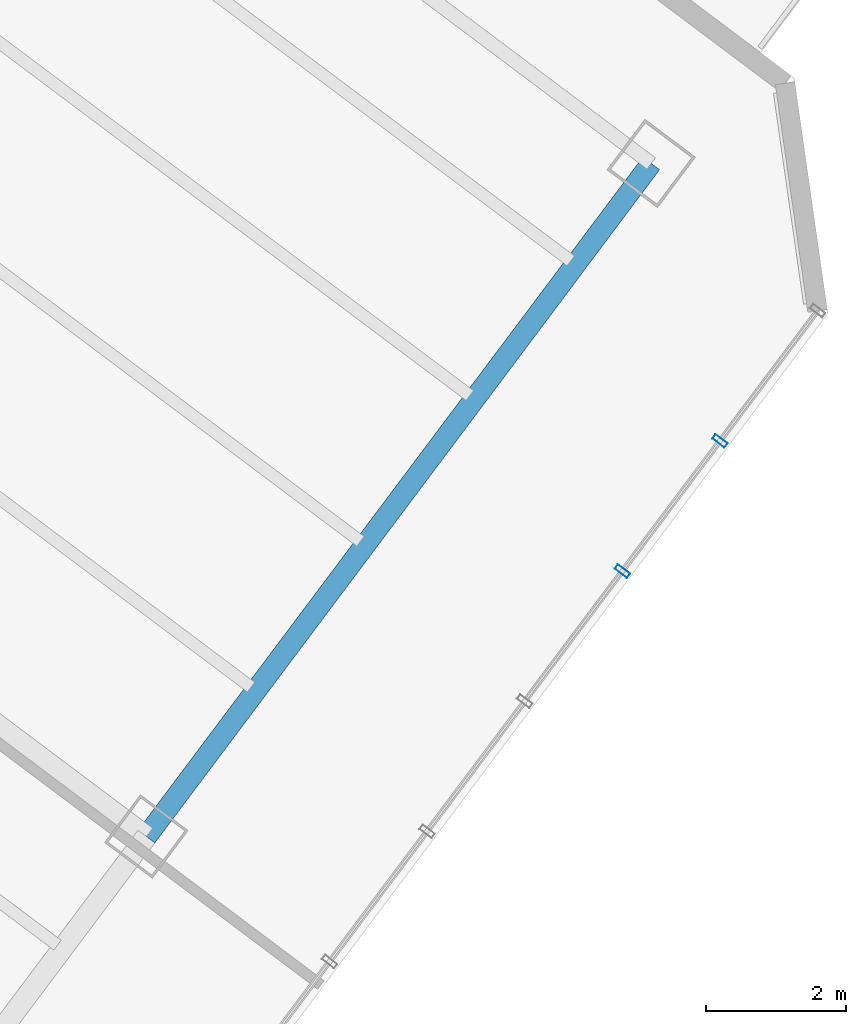
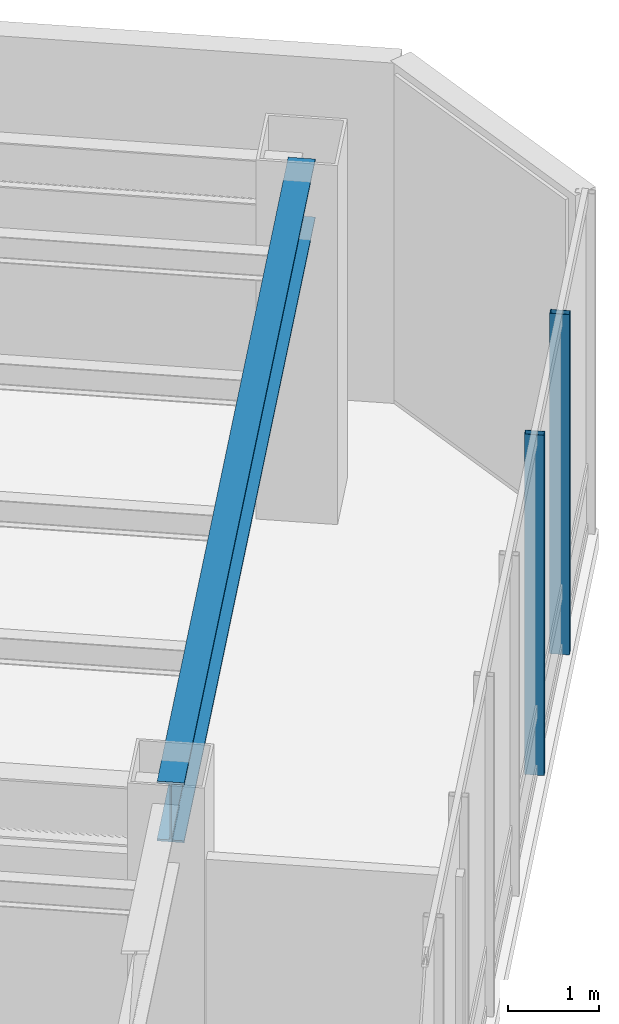
# One storey, part 8 of 27: 2 members, 1 beam, 1 element without a shape of its own.
"""IFC4 building model written with IfcOpenShell, lengths in metres."""

from ifc_helpers import new_model, si_unit, direction, frame, origin, origin_2d, place, context, subcontext, project, spatial, hollow_rectangle, i_section, extrude, material, layer, layer_set, material_profile, profile_set, type_object, element, aggregate, save


model = new_model("IFC4")

# Units and contexts
model_context = context("Model", 3, precision=1e-05, world=origin(), true_north=direction((0.0, 1.0)))
body_context = subcontext(model_context, "Body", "Model", "MODEL_VIEW")
ifc_project = project(units=[si_unit("LENGTHUNIT", "METRE"), si_unit("AREAUNIT", "SQUARE_METRE"), si_unit("VOLUMEUNIT", "CUBIC_METRE"), si_unit("PLANEANGLEUNIT", "RADIAN"), si_unit("MASSUNIT", "GRAM", prefix="KILO")], contexts=[model_context])

# Site, building, storey
site_placement = place(None, origin())
site = spatial("IfcSite", under=ifc_project, at=site_placement, CompositionType="ELEMENT")
building_placement = place(site_placement, origin())
building = spatial("IfcBuilding", under=site, at=building_placement, Name="Hatsunagi Terrace Concourse", CompositionType="ELEMENT")
storey_placement = place(building_placement, frame((0.0, 0.0, 96.449951171875)))
storey = spatial("IfcBuildingStorey", under=building, at=storey_placement, Name="L25", CompositionType="ELEMENT", Elevation=96.449951171875)

# Curtain wall, members
ifc_material_1 = material(Name="Anodised Aluminium Alloy 6063-T5", Category="aluminium")
ifc_layer = layer(ifc_material_1, 0.199951171875)
ifc_layer_set = layer_set([ifc_layer], Name="SkyLobbyAtrium_CW05")
curtain_wall_type = type_object("IfcCurtainWallType", Name="SkyLobbyAtrium_CW05", PredefinedType="NOTDEFINED", material=ifc_layer_set)
curtain_wall_placement = place(storey_placement, origin())
curtain_wall = element("IfcCurtainWall", 1, at=curtain_wall_placement, inside=storey, type_object=curtain_wall_type, Name="Unitised Curtain Wall CW-05 CW-L25-03", PredefinedType="NOTDEFINED")
ifc_material_2 = material(Name="Anodised Aluminium Alloy 6063-T5", Category="aluminium")
ifc_material_profile_1 = material_profile(ifc_material_2, hollow_rectangle(XDim=0.080078125, YDim=0.219970703125, WallThickness=0.0048828125, at=origin_2d()), Name="ALU-MUL-220x80x5")
ifc_profile_set_1 = profile_set([ifc_material_profile_1], Name="Anodised Aluminium Alloy 6063-T5")
member_type = type_object("IfcMemberType", Name="CurtainWallMullion_Heavy_220x80", PredefinedType="MULLION", material=ifc_profile_set_1)
member_1_placement = place(storey_placement, frame((67.700927734375, 17.802001953125, 0.0), z_axis=(0.0, 0.0, 1.0), x_axis=(-0.599969314634, -0.800023013105, 0.0)))
member_1 = element("IfcMember", 2, at=member_1_placement, type_object=member_type, Name="Curtain Wall Mullion MUL-01", PredefinedType="MULLION", context=body_context, shape_type="SweptSolid", body=[
    extrude(hollow_rectangle(XDim=0.080078125, YDim=0.219970703125, WallThickness=0.0048828125, at=origin_2d()), origin(), (0.0, 0.0, 1.0), 4.550048828125),
])
member_2_placement = place(storey_placement, frame((66.30908203125, 15.945068359375, 0.0), z_axis=(0.0, 0.0, 1.0), x_axis=(-0.599969314634, -0.800023013105, 0.0)))
member_2 = element("IfcMember", 3, at=member_2_placement, type_object=member_type, Name="Curtain Wall Mullion MUL-01", PredefinedType="MULLION", context=body_context, shape_type="SweptSolid", body=[
    extrude(hollow_rectangle(XDim=0.080078125, YDim=0.219970703125, WallThickness=0.0048828125, at=origin_2d()), origin(), (0.0, 0.0, 1.0), 4.550048828125),
])
aggregate(curtain_wall, [member_1, member_2])

# Beam
ifc_material_3 = material(Name="Steel SN490B", Category="steel")
ifc_material_profile_2 = material_profile(ifc_material_3, i_section(OverallWidth=0.300048828125, OverallDepth=0.800048828125, WebThickness=0.013916015625, FlangeThickness=0.02587890625, FilletRadius=0.02197265625, at=origin_2d()), Name="H-800x300x14x26")
ifc_profile_set_2 = profile_set([ifc_material_profile_2], Name="Steel SN490B")
beam_type = type_object("IfcBeamType", Name="SkyLobbyGirder_H_800x300", PredefinedType="BEAM", material=ifc_profile_set_2)
beam_placement = place(storey_placement, frame((59.52001953125, 12.159912109375, 4.150146484375), z_axis=(0.59999348959, 0.800004882766, 0.0), x_axis=(-0.800004882766, 0.59999348959, 0.0)))
element("IfcBeam", 4, at=beam_placement, inside=storey, type_object=beam_type, Name="Beam G-03 BM-L25-SET-3B", PredefinedType="BEAM", context=body_context, shape_type="SweptSolid", body=[
    extrude(i_section(OverallWidth=0.300048828125, OverallDepth=0.800048828125, WebThickness=0.013916015625, FlangeThickness=0.02587890625, FilletRadius=0.02197265625, at=origin_2d()), origin(), (0.0, 0.0, 1.0), 12.0),
])

save(model, "model.ifc")
